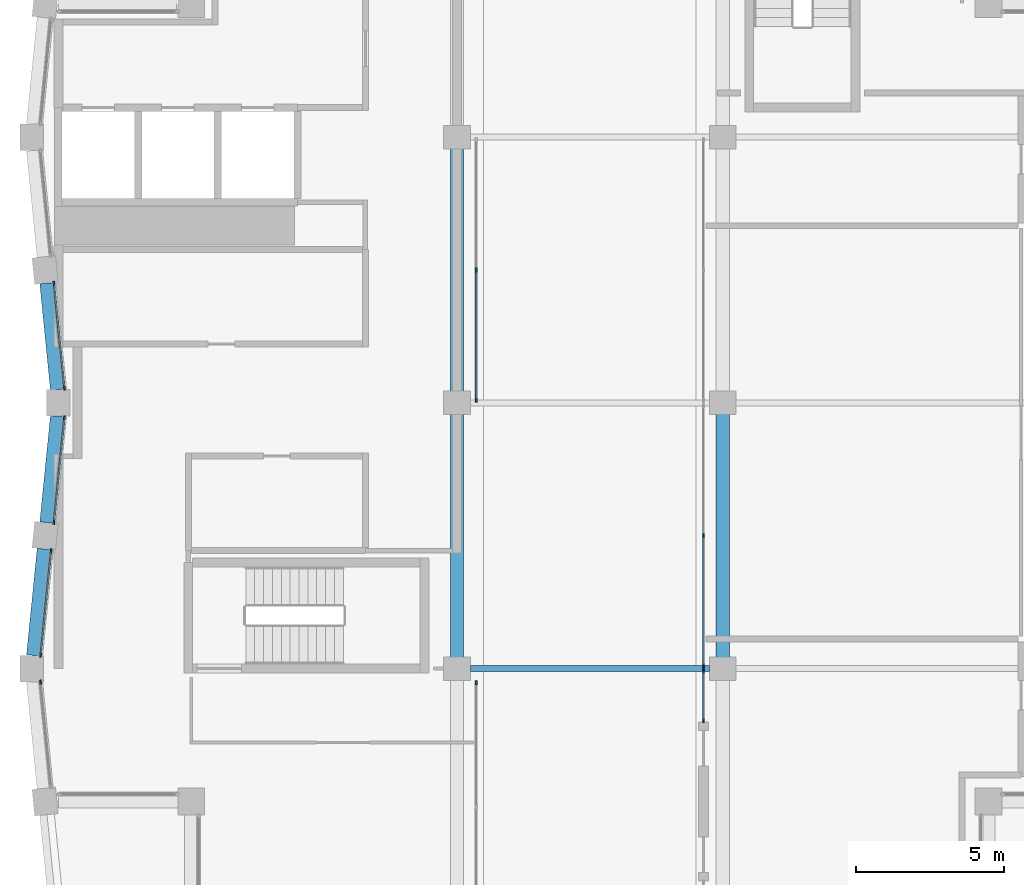
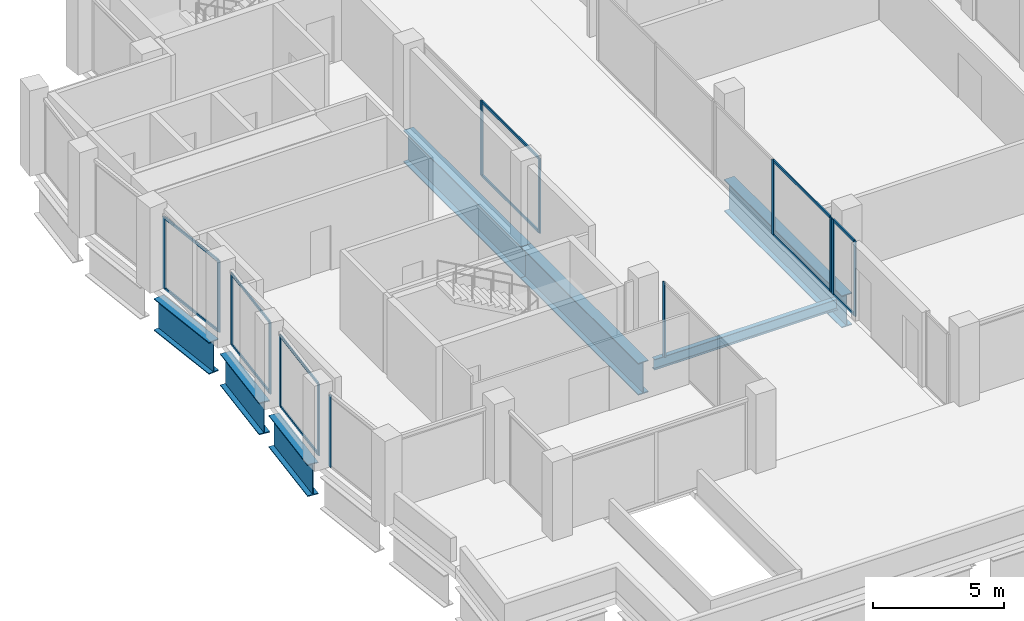
# One storey, part 4 of 14: 26 members, 7 beams, 8 elements without a shape of their own.
"""IFC4 building model written with IfcOpenShell, lengths in metres."""

from ifc_helpers import new_model, si_unit, direction, frame, origin, origin_2d, place, context, subcontext, project, spatial, rectangle, i_section, extrude, material, material_profile, profile_set, type_object, element, aggregate, save


model = new_model("IFC4")

# Units and contexts
model_context = context("Model", 3, precision=1e-05, world=origin(), true_north=direction((0.0, 1.0)))
body_context = subcontext(model_context, "Body", "Model", "MODEL_VIEW")
ifc_project = project(units=[si_unit("LENGTHUNIT", "METRE"), si_unit("AREAUNIT", "SQUARE_METRE"), si_unit("VOLUMEUNIT", "CUBIC_METRE"), si_unit("PLANEANGLEUNIT", "RADIAN"), si_unit("MASSUNIT", "GRAM", prefix="KILO")], contexts=[model_context])

# Site, building, storey
site_placement = place(None, origin())
site = spatial("IfcSite", under=ifc_project, at=site_placement, CompositionType="ELEMENT")
building_placement = place(site_placement, origin())
building = spatial("IfcBuilding", under=site, at=building_placement, Name="Brondeck Convention Tower", CompositionType="ELEMENT")
storey_placement = place(building_placement, frame((0.0, 0.0, 282.800048828125)))
storey = spatial("IfcBuildingStorey", under=building, at=storey_placement, Name="L70", CompositionType="ELEMENT", Elevation=282.800048828125)

# Curtain wall, members
ifc_material_1 = material(Name="Aluminium, bronze anodised", Category="aluminium")
curtain_wall_type = type_object("IfcCurtainWallType", Name="Crown screen curtain wall", PredefinedType="NOTDEFINED", material=ifc_material_1)
curtain_wall_1_placement = place(storey_placement, origin())
curtain_wall_1 = element("IfcCurtainWall", 1, at=curtain_wall_1_placement, inside=storey, type_object=curtain_wall_type, Name="ENV-CW4-L70-K2-SLOT-E-07-1a", PredefinedType="NOTDEFINED")
ifc_material_profile_1 = material_profile(ifc_material_1, rectangle(XDim=0.06005859375, YDim=0.139892578125, at=origin_2d()), Name="CW4 mullion")
ifc_profile_set_1 = profile_set([ifc_material_profile_1], Name="Aluminium, bronze anodised")
member_type_1 = type_object("IfcMemberType", Name="CW4 mullion", PredefinedType="MULLION", material=ifc_profile_set_1)
member_1_placement = place(storey_placement, frame((21.85009765625, 34.22998046875, 0.0), z_axis=(0.0, 0.0, 1.0), x_axis=(-1.0, 0.0, 0.0)))
member_1 = element("IfcMember", 2, at=member_1_placement, type_object=member_type_1, Name="CW4 mullion 1", PredefinedType="MULLION", context=body_context, shape_type="SweptSolid", body=[
    extrude(rectangle(XDim=0.06005859375, YDim=0.139892578125, at=origin_2d()), origin(), (0.0, 0.0, 1.0), 3.5),
])
member_2_placement = place(storey_placement, frame((21.85009765625, 35.909912109375, 0.0), z_axis=(0.0, 0.0, 1.0), x_axis=(-1.0, 0.0, 0.0)))
member_2 = element("IfcMember", 3, at=member_2_placement, type_object=member_type_1, Name="CW4 mullion 2", PredefinedType="MULLION", context=body_context, shape_type="SweptSolid", body=[
    extrude(rectangle(XDim=0.06005859375, YDim=0.139892578125, at=origin_2d()), origin(), (0.0, 0.0, 1.0), 3.5),
])

# Curtain wall, member
curtain_wall_2_placement = place(storey_placement, origin())
curtain_wall_2 = element("IfcCurtainWall", 4, at=curtain_wall_2_placement, inside=storey, type_object=curtain_wall_type, Name="ENV-CW4-L70-K1-SLOT-W-00-2", PredefinedType="NOTDEFINED")
member_3_placement = place(storey_placement, frame((14.14990234375, 35.52001953125, 0.0), z_axis=(0.0, 0.0, 1.0), x_axis=(1.0, 0.0, 0.0)))
member_3 = element("IfcMember", 5, at=member_3_placement, type_object=member_type_1, Name="CW4 mullion 1", PredefinedType="MULLION", context=body_context, shape_type="SweptSolid", body=[
    extrude(rectangle(XDim=0.06005859375, YDim=0.139892578125, at=origin_2d()), origin(), (0.0, 0.0, 1.0), 3.5),
])
aggregate(curtain_wall_2, [member_3])

# Curtain wall, members
curtain_wall_3_placement = place(storey_placement, origin())
curtain_wall_3 = element("IfcCurtainWall", 6, at=curtain_wall_3_placement, inside=storey, type_object=curtain_wall_type, Name="ENV-CW4-L70-K1-SLOT-W-05", PredefinedType="NOTDEFINED")
member_4_placement = place(storey_placement, frame((14.14990234375, 49.5, 0.0), z_axis=(0.0, 0.0, 1.0), x_axis=(1.0, 0.0, 0.0)))
member_4 = element("IfcMember", 7, at=member_4_placement, type_object=member_type_1, Name="CW4 mullion 2", PredefinedType="MULLION", context=body_context, shape_type="SweptSolid", body=[
    extrude(rectangle(XDim=0.06005859375, YDim=0.139892578125, at=origin_2d()), origin(), (0.0, 0.0, 1.0), 3.5),
])
member_5_placement = place(storey_placement, frame((14.14990234375, 45.090087890625, 0.0), z_axis=(0.0, 0.0, 1.0), x_axis=(1.0, 0.0, 0.0)))
member_5 = element("IfcMember", 8, at=member_5_placement, type_object=member_type_1, Name="CW4 mullion 3", PredefinedType="MULLION", context=body_context, shape_type="SweptSolid", body=[
    extrude(rectangle(XDim=0.06005859375, YDim=0.139892578125, at=origin_2d()), origin(), (0.0, 0.0, 1.0), 3.5),
])

curtain_wall_4_placement = place(storey_placement, origin())
curtain_wall_4 = element("IfcCurtainWall", 9, at=curtain_wall_4_placement, inside=storey, type_object=curtain_wall_type, Name="ENV-CW4-L70-K1-B-W-03", PredefinedType="NOTDEFINED")
member_6_placement = place(storey_placement, frame((0.200927734375, 45.50244140625, 0.0), z_axis=(0.0, 0.0, 1.0), x_axis=(-0.995035823513, -0.099517385048, 0.0)))
member_6 = element("IfcMember", 10, at=member_6_placement, type_object=member_type_1, Name="CW4 mullion 1", PredefinedType="MULLION", context=body_context, shape_type="SweptSolid", body=[
    extrude(rectangle(XDim=0.06005859375, YDim=0.139892578125, at=origin_2d()), origin(), (0.0, 0.0, 1.0), 3.349853515625),
])
member_7_placement = place(storey_placement, frame((-0.153564453125, 49.04736328125, 0.0), z_axis=(0.0, 0.0, 1.0), x_axis=(-0.995035823513, -0.099517385048, 0.0)))
member_7 = element("IfcMember", 11, at=member_7_placement, type_object=member_type_1, Name="CW4 mullion 2", PredefinedType="MULLION", context=body_context, shape_type="SweptSolid", body=[
    extrude(rectangle(XDim=0.06005859375, YDim=0.139892578125, at=origin_2d()), origin(), (0.0, 0.0, 1.0), 3.349853515625),
])

curtain_wall_5_placement = place(storey_placement, origin())
curtain_wall_5 = element("IfcCurtainWall", 12, at=curtain_wall_5_placement, inside=storey, type_object=curtain_wall_type, Name="ENV-CW4-L70-K1-B-W-04", PredefinedType="NOTDEFINED")
member_8_placement = place(storey_placement, frame((-0.153564453125, 40.95263671875, 0.0), z_axis=(0.0, 0.0, 1.0), x_axis=(-0.995035823513, 0.099517385048, 0.0)))
member_8 = element("IfcMember", 13, at=member_8_placement, type_object=member_type_1, Name="CW4 mullion 1", PredefinedType="MULLION", context=body_context, shape_type="SweptSolid", body=[
    extrude(rectangle(XDim=0.06005859375, YDim=0.139892578125, at=origin_2d()), origin(), (0.0, 0.0, 1.0), 3.349853515625),
])
member_9_placement = place(storey_placement, frame((0.200927734375, 44.49755859375, 0.0), z_axis=(0.0, 0.0, 1.0), x_axis=(-0.995035823513, 0.099517385048, 0.0)))
member_9 = element("IfcMember", 14, at=member_9_placement, type_object=member_type_1, Name="CW4 mullion 2", PredefinedType="MULLION", context=body_context, shape_type="SweptSolid", body=[
    extrude(rectangle(XDim=0.06005859375, YDim=0.139892578125, at=origin_2d()), origin(), (0.0, 0.0, 1.0), 3.349853515625),
])

curtain_wall_6_placement = place(storey_placement, origin())
curtain_wall_6 = element("IfcCurtainWall", 15, at=curtain_wall_6_placement, inside=storey, type_object=curtain_wall_type, Name="ENV-CW4-L70-K1-B-W-05", PredefinedType="NOTDEFINED")
member_10_placement = place(storey_placement, frame((-0.603515625, 36.45263671875, 0.0), z_axis=(0.0, 0.0, 1.0), x_axis=(-0.995035823513, 0.099517385048, 0.0)))
member_10 = element("IfcMember", 16, at=member_10_placement, type_object=member_type_1, Name="CW4 mullion 1", PredefinedType="MULLION", context=body_context, shape_type="SweptSolid", body=[
    extrude(rectangle(XDim=0.06005859375, YDim=0.139892578125, at=origin_2d()), origin(), (0.0, 0.0, 1.0), 3.349853515625),
])
member_11_placement = place(storey_placement, frame((-0.2490234375, 39.99755859375, 0.0), z_axis=(0.0, 0.0, 1.0), x_axis=(-0.995035823513, 0.099517385048, 0.0)))
member_11 = element("IfcMember", 17, at=member_11_placement, type_object=member_type_1, Name="CW4 mullion 2", PredefinedType="MULLION", context=body_context, shape_type="SweptSolid", body=[
    extrude(rectangle(XDim=0.06005859375, YDim=0.139892578125, at=origin_2d()), origin(), (0.0, 0.0, 1.0), 3.349853515625),
])

# Curtain wall, member
curtain_wall_7_placement = place(storey_placement, origin())
curtain_wall_7 = element("IfcCurtainWall", 18, at=curtain_wall_7_placement, inside=storey, type_object=curtain_wall_type, Name="ENV-CW4-L70-K1-B-W-06", PredefinedType="NOTDEFINED")
member_12_placement = place(storey_placement, frame((-0.603515625, 35.54736328125, 0.0), z_axis=(0.0, 0.0, 1.0), x_axis=(-0.995035823513, -0.099517385048, 0.0)))
member_12 = element("IfcMember", 19, at=member_12_placement, type_object=member_type_1, Name="CW4 mullion 2", PredefinedType="MULLION", context=body_context, shape_type="SweptSolid", body=[
    extrude(rectangle(XDim=0.06005859375, YDim=0.139892578125, at=origin_2d()), origin(), (0.0, 0.0, 1.0), 3.349853515625),
])
aggregate(curtain_wall_7, [member_12])

# Curtain wall, members
curtain_wall_8_placement = place(storey_placement, origin())
curtain_wall_8 = element("IfcCurtainWall", 20, at=curtain_wall_8_placement, inside=storey, type_object=curtain_wall_type, Name="ENV-CW4-L70-K2-SLOT-E-05", PredefinedType="NOTDEFINED")
member_13_placement = place(storey_placement, frame((21.85009765625, 36.090087890625, 0.0), z_axis=(0.0, 0.0, 1.0), x_axis=(-1.0, 0.0, 0.0)))
member_13 = element("IfcMember", 21, at=member_13_placement, type_object=member_type_1, Name="CW4 mullion 1", PredefinedType="MULLION", context=body_context, shape_type="SweptSolid", body=[
    extrude(rectangle(XDim=0.06005859375, YDim=0.139892578125, at=origin_2d()), origin(), (0.0, 0.0, 1.0), 3.5),
])
member_14_placement = place(storey_placement, frame((21.85009765625, 40.5, 0.0), z_axis=(0.0, 0.0, 1.0), x_axis=(-1.0, 0.0, 0.0)))
member_14 = element("IfcMember", 22, at=member_14_placement, type_object=member_type_1, Name="CW4 mullion 2", PredefinedType="MULLION", context=body_context, shape_type="SweptSolid", body=[
    extrude(rectangle(XDim=0.06005859375, YDim=0.139892578125, at=origin_2d()), origin(), (0.0, 0.0, 1.0), 3.5),
])

# Member
ifc_material_profile_2 = material_profile(ifc_material_1, rectangle(XDim=0.06005859375, YDim=0.1201171875, at=origin_2d()), Name="CW4 transom")
ifc_profile_set_2 = profile_set([ifc_material_profile_2], Name="Aluminium, bronze anodised")
member_type_2 = type_object("IfcMemberType", Name="CW4 transom", PredefinedType="USERDEFINED", material=ifc_profile_set_2)
member_15_placement = place(storey_placement, frame((21.85009765625, 34.260009765625, 0.030029296875), z_axis=(0.0, 1.0, 0.0), x_axis=(-1.0, 0.0, 0.0)))
member_15 = element("IfcMember", 23, at=member_15_placement, type_object=member_type_2, Name="CW4 transom 1.1", ObjectType="TRANSOM", PredefinedType="USERDEFINED", context=body_context, shape_type="SweptSolid", body=[
    extrude(rectangle(XDim=0.06005859375, YDim=0.1201171875, at=origin_2d()), origin(), (0.0, 0.0, 1.0), 1.619873046875),
])

member_16_placement = place(storey_placement, frame((21.85009765625, 34.260009765625, 3.469970703125), z_axis=(0.0, 1.0, 0.0), x_axis=(-1.0, 0.0, 0.0)))
member_16 = element("IfcMember", 24, at=member_16_placement, type_object=member_type_2, Name="CW4 transom 1.2", ObjectType="TRANSOM", PredefinedType="USERDEFINED", context=body_context, shape_type="SweptSolid", body=[
    extrude(rectangle(XDim=0.06005859375, YDim=0.1201171875, at=origin_2d()), origin(), (0.0, 0.0, 1.0), 1.619873046875),
])

aggregate(curtain_wall_1, [member_1, member_2, member_15, member_16])

member_17_placement = place(storey_placement, frame((14.14990234375, 49.469970703125, 0.030029296875), z_axis=(0.0, -1.0, 0.0), x_axis=(1.0, 0.0, 0.0)))
member_17 = element("IfcMember", 25, at=member_17_placement, type_object=member_type_2, Name="CW4 transom 2.1", ObjectType="TRANSOM", PredefinedType="USERDEFINED", context=body_context, shape_type="SweptSolid", body=[
    extrude(rectangle(XDim=0.06005859375, YDim=0.1201171875, at=origin_2d()), origin(), (0.0, 0.0, 1.0), 4.349853515625),
])

member_18_placement = place(storey_placement, frame((14.14990234375, 49.469970703125, 3.469970703125), z_axis=(0.0, -1.0, 0.0), x_axis=(1.0, 0.0, 0.0)))
member_18 = element("IfcMember", 26, at=member_18_placement, type_object=member_type_2, Name="CW4 transom 2.2", ObjectType="TRANSOM", PredefinedType="USERDEFINED", context=body_context, shape_type="SweptSolid", body=[
    extrude(rectangle(XDim=0.06005859375, YDim=0.1201171875, at=origin_2d()), origin(), (0.0, 0.0, 1.0), 4.349853515625),
])

aggregate(curtain_wall_3, [member_4, member_5, member_17, member_18])

member_19_placement = place(storey_placement, frame((0.197998046875, 45.5322265625, 0.030029296875), z_axis=(-0.099538226209, 0.995033738887, 0.0), x_axis=(-0.995033738887, -0.099538226209, 0.0)))
member_19 = element("IfcMember", 27, at=member_19_placement, type_object=member_type_2, Name="CW4 transom 1.1", ObjectType="TRANSOM", PredefinedType="USERDEFINED", context=body_context, shape_type="SweptSolid", body=[
    extrude(rectangle(XDim=0.06005859375, YDim=0.1201171875, at=origin_2d()), origin(), (0.0, 0.0, 1.0), 3.50244140625),
])

member_20_placement = place(storey_placement, frame((0.197998046875, 45.5322265625, 3.320068359375), z_axis=(-0.099538226209, 0.995033738887, 0.0), x_axis=(-0.995033738887, -0.099538226209, 0.0)))
member_20 = element("IfcMember", 28, at=member_20_placement, type_object=member_type_2, Name="CW4 transom 1.2", ObjectType="TRANSOM", PredefinedType="USERDEFINED", context=body_context, shape_type="SweptSolid", body=[
    extrude(rectangle(XDim=0.06005859375, YDim=0.1201171875, at=origin_2d()), origin(), (0.0, 0.0, 1.0), 3.50244140625),
])

aggregate(curtain_wall_4, [member_6, member_7, member_19, member_20])

member_21_placement = place(storey_placement, frame((-0.150634765625, 40.982666015625, 0.030029296875), z_axis=(0.099538226209, 0.995033738887, 0.0), x_axis=(-0.995033738887, 0.099538226209, 0.0)))
member_21 = element("IfcMember", 29, at=member_21_placement, type_object=member_type_2, Name="CW4 transom 1.1", ObjectType="TRANSOM", PredefinedType="USERDEFINED", context=body_context, shape_type="SweptSolid", body=[
    extrude(rectangle(XDim=0.06005859375, YDim=0.1201171875, at=origin_2d()), origin(), (0.0, 0.0, 1.0), 3.50244140625),
])

member_22_placement = place(storey_placement, frame((-0.150634765625, 40.982666015625, 3.320068359375), z_axis=(0.099538226209, 0.995033738887, 0.0), x_axis=(-0.995033738887, 0.099538226209, 0.0)))
member_22 = element("IfcMember", 30, at=member_22_placement, type_object=member_type_2, Name="CW4 transom 1.2", ObjectType="TRANSOM", PredefinedType="USERDEFINED", context=body_context, shape_type="SweptSolid", body=[
    extrude(rectangle(XDim=0.06005859375, YDim=0.1201171875, at=origin_2d()), origin(), (0.0, 0.0, 1.0), 3.50244140625),
])

aggregate(curtain_wall_5, [member_8, member_9, member_21, member_22])

member_23_placement = place(storey_placement, frame((-0.6005859375, 36.482666015625, 0.030029296875), z_axis=(0.099538226209, 0.995033738887, 0.0), x_axis=(-0.995033738887, 0.099538226209, 0.0)))
member_23 = element("IfcMember", 31, at=member_23_placement, type_object=member_type_2, Name="CW4 transom 1.1", ObjectType="TRANSOM", PredefinedType="USERDEFINED", context=body_context, shape_type="SweptSolid", body=[
    extrude(rectangle(XDim=0.06005859375, YDim=0.1201171875, at=origin_2d()), origin(), (0.0, 0.0, 1.0), 3.50244140625),
])

member_24_placement = place(storey_placement, frame((-0.6005859375, 36.482666015625, 3.320068359375), z_axis=(0.099538226209, 0.995033738887, 0.0), x_axis=(-0.995033738887, 0.099538226209, 0.0)))
member_24 = element("IfcMember", 32, at=member_24_placement, type_object=member_type_2, Name="CW4 transom 1.2", ObjectType="TRANSOM", PredefinedType="USERDEFINED", context=body_context, shape_type="SweptSolid", body=[
    extrude(rectangle(XDim=0.06005859375, YDim=0.1201171875, at=origin_2d()), origin(), (0.0, 0.0, 1.0), 3.50244140625),
])

aggregate(curtain_wall_6, [member_10, member_11, member_23, member_24])

member_25_placement = place(storey_placement, frame((21.85009765625, 36.1201171875, 0.030029296875), z_axis=(0.0, 1.0, 0.0), x_axis=(-1.0, 0.0, 0.0)))
member_25 = element("IfcMember", 33, at=member_25_placement, type_object=member_type_2, Name="CW4 transom 1.1", ObjectType="TRANSOM", PredefinedType="USERDEFINED", context=body_context, shape_type="SweptSolid", body=[
    extrude(rectangle(XDim=0.06005859375, YDim=0.1201171875, at=origin_2d()), origin(), (0.0, 0.0, 1.0), 4.349853515625),
])

member_26_placement = place(storey_placement, frame((21.85009765625, 36.1201171875, 3.469970703125), z_axis=(0.0, 1.0, 0.0), x_axis=(-1.0, 0.0, 0.0)))
member_26 = element("IfcMember", 34, at=member_26_placement, type_object=member_type_2, Name="CW4 transom 1.2", ObjectType="TRANSOM", PredefinedType="USERDEFINED", context=body_context, shape_type="SweptSolid", body=[
    extrude(rectangle(XDim=0.06005859375, YDim=0.1201171875, at=origin_2d()), origin(), (0.0, 0.0, 1.0), 4.349853515625),
])

aggregate(curtain_wall_8, [member_13, member_14, member_25, member_26])

# Beams
ifc_material_2 = material(Name="Steel S355", Category="steel")
ifc_material_profile_3 = material_profile(ifc_material_2, i_section(OverallWidth=0.199951171875, OverallDepth=0.5, WebThickness=0.01025390625, FlangeThickness=0.01611328125, FilletRadius=0.02099609375, at=origin_2d()), Name="IPE 500")
ifc_profile_set_3 = profile_set([ifc_material_profile_3], Name="Steel S355")
beam_type_1 = type_object("IfcBeamType", Name="Crown frame Floor beam IPE 500", PredefinedType="BEAM", material=ifc_profile_set_3)
beam_1_placement = place(storey_placement, frame((13.949951171875, 36.0, -0.550048828125), z_axis=(1.0, 0.0, 0.0), x_axis=(0.0, 1.0, 0.0)))
element("IfcBeam", 35, at=beam_1_placement, inside=storey, type_object=beam_type_1, Name="STR-FB-L70-S4-SLOT-001", PredefinedType="BEAM", context=body_context, shape_type="SweptSolid", body=[
    extrude(i_section(OverallWidth=0.199951171875, OverallDepth=0.5, WebThickness=0.01025390625, FlangeThickness=0.01611328125, FilletRadius=0.02099609375, at=origin_2d()), origin(), (0.0, 0.0, 1.0), 8.10009765625),
])
ifc_material_3 = material(Name="Steel S460", Category="steel")
ifc_material_profile_4 = material_profile(ifc_material_3, i_section(OverallWidth=0.449951171875, OverallDepth=1.5, WebThickness=0.02490234375, FlangeThickness=0.044921875, at=origin_2d()), Name="PG 1500x450")
ifc_profile_set_4 = profile_set([ifc_material_profile_4], Name="Steel S460")
beam_type_2 = type_object("IfcBeamType", Name="Crown frame Transfer girder PG 1500x450", PredefinedType="BEAM", material=ifc_profile_set_4)
for number, where, z_axis, x_axis, name in (
    (36, (13.5, 36.0, -1.050048828125), (0.0, 1.0, 0.0), (-1.0, 0.0, 0.0), "Crown transfer girder PG-L70K1-7"),
    (37, (13.5, 45.0, -1.050048828125), (0.0, 1.0, 0.0), (-1.0, 0.0, 0.0), "Crown transfer girder PG-L70K1-8"),
):
    element("IfcBeam", number, at=place(storey_placement, frame(where, z_axis=z_axis, x_axis=x_axis)), inside=storey, type_object=beam_type_2, Name=name, PredefinedType="BEAM", context=body_context, shape_type="SweptSolid", body=[
        extrude(i_section(OverallWidth=0.449951171875, OverallDepth=1.5, WebThickness=0.02490234375, FlangeThickness=0.044921875, at=origin_2d()), origin(), (0.0, 0.0, 1.0), 9.0),
    ])
for number, where, z_axis, x_axis, name in (
    (38, (-0.4052734375, 49.05224609375, -1.050048828125), (0.099537103649, -0.995033851182, 0.0), (0.995033851182, 0.099537103649, 0.0), "Crown transfer girder PG-L70K1-16"),
    (39, (-0.044921875, 44.550048828125, -1.050048828125), (-0.099537103649, -0.995033851182, 0.0), (0.995033851182, -0.099537103649, 0.0), "Crown transfer girder PG-L70K1-17"),
    (40, (-0.494873046875, 40.05224609375, -1.050048828125), (-0.099470334057, -0.995040528141, 0.0), (0.995040528141, -0.099470334057, 0.0), "Crown transfer girder PG-L70K1-18"),
):
    element("IfcBeam", number, at=place(storey_placement, frame(where, z_axis=z_axis, x_axis=x_axis)), inside=storey, type_object=beam_type_2, Name=name, PredefinedType="BEAM", context=body_context, shape_type="SweptSolid", body=[
        extrude(i_section(OverallWidth=0.449951171875, OverallDepth=1.5, WebThickness=0.02490234375, FlangeThickness=0.044921875, at=origin_2d()), origin(), (0.0, 0.0, 1.0), 3.620361328125),
    ])
beam_2_placement = place(storey_placement, frame((22.5, 45.0, -1.050048828125), z_axis=(0.0, -1.0, 0.0), x_axis=(1.0, 0.0, 0.0)))
element("IfcBeam", 41, at=beam_2_placement, inside=storey, type_object=beam_type_2, Name="Crown transfer girder PG-L70K2-19", PredefinedType="BEAM", context=body_context, shape_type="SweptSolid", body=[
    extrude(i_section(OverallWidth=0.449951171875, OverallDepth=1.5, WebThickness=0.02490234375, FlangeThickness=0.044921875, at=origin_2d()), origin(), (0.0, 0.0, 1.0), 9.0),
])

save(model, "model.ifc")
